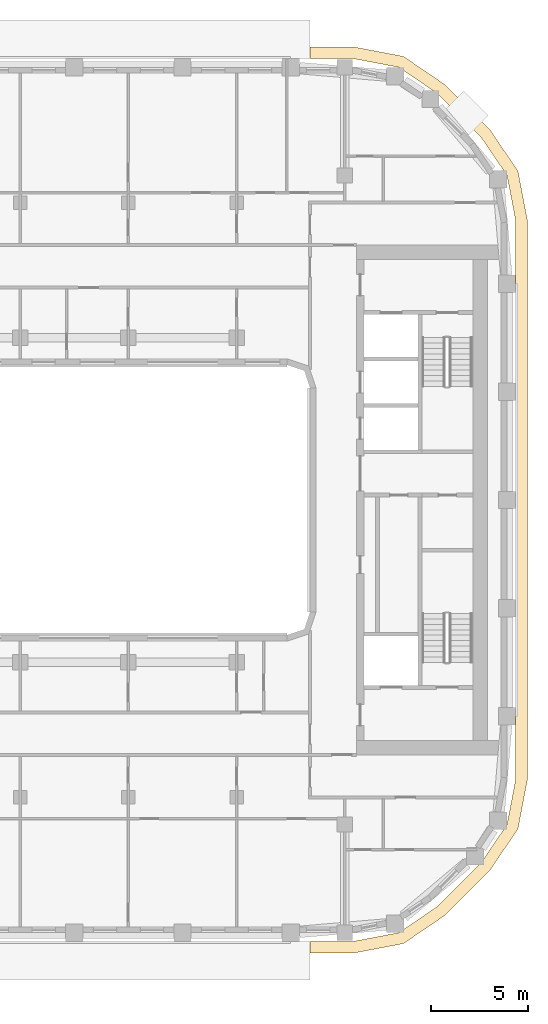
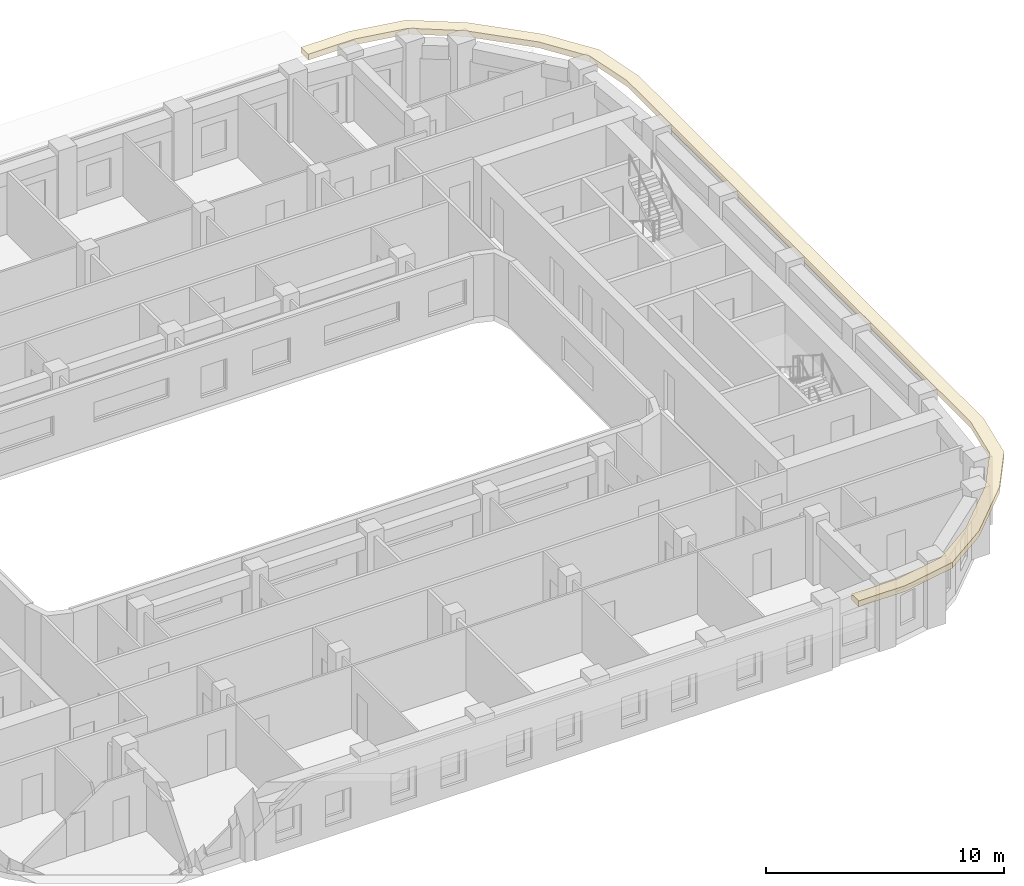
# One storey, part 16 of 20: 1 covering.
"""IFC4 building model written with IfcOpenShell, lengths in metres."""

import ifcopenshell
import ifcopenshell.guid

model = None  # the IFC model being written
_history = None  # IfcOwnerHistory: only IFC2X3 demands one
_inside = {}  # id of a spatial element -> (the spatial element, [elements in it])
_under = {}  # id of a project, library or spatial element -> (it, [spatial elements below it])
_declared = {}  # id of a project -> (the project, [libraries it declares])
_typed = {}  # id of a type object -> (the type object, [elements of that type])
_made_of = {}  # id of a material, layer set ... -> (it, [elements and type objects made of it])


def new_model(schema):
    """Start an empty IFC model of exactly this schema.

    Asked for "IFC4X3", IfcOpenShell would pick the latest addendum, in which some entities
    have other attributes; the version numbers below select the first issue.
    IFC2X3 requires an IfcOwnerHistory on every rooted entity: one is made here for all.
    """
    global model, _history
    if schema == "IFC4X3":
        model = ifcopenshell.file(schema_version=(4, 3, 0, 0))
    else:
        model = ifcopenshell.file(schema=schema)
    _inside.clear()
    _under.clear()
    _declared.clear()
    _typed.clear()
    _made_of.clear()
    _history = None
    if model.schema == "IFC2X3":
        org = make("IfcOrganization", Name="unknown")
        user = make(
            "IfcPersonAndOrganization",
            ThePerson=make("IfcPerson", FamilyName="unknown"),
            TheOrganization=org,
        )
        app = make(
            "IfcApplication",
            ApplicationDeveloper=org,
            Version="unknown",
            ApplicationFullName="unknown",
            ApplicationIdentifier="unknown",
        )
        _history = make(
            "IfcOwnerHistory",
            OwningUser=user,
            OwningApplication=app,
            ChangeAction="ADDED",
            CreationDate=0,
        )
    return model


def make(cls, **values):
    """One entity of the class cls with the attributes given. An attribute that is None is left unset."""
    return model.create_entity(
        cls, **{name: value for name, value in values.items() if value is not None}
    )


def rooted(cls, **values):
    """An entity with a GlobalId (a new one), such as an element, a storey or a relation."""
    return make(cls, GlobalId=ifcopenshell.guid.new(), OwnerHistory=_history, **values)


def si_unit(unit_type, name, prefix=None):
    """IfcSIUnit, for example si_unit("LENGTHUNIT", "METRE", prefix="MILLI")."""
    return make("IfcSIUnit", UnitType=unit_type, Prefix=prefix, Name=name)


def assignment(units):
    """IfcUnitAssignment: the units of a project."""
    return None if units is None else make("IfcUnitAssignment", Units=units)


def point(xyz):
    """IfcCartesianPoint."""
    return None if xyz is None else make("IfcCartesianPoint", Coordinates=xyz)


def direction(xyz):
    """IfcDirection."""
    return None if xyz is None else make("IfcDirection", DirectionRatios=xyz)


def frame(location, z_axis=None, x_axis=None):
    """IfcAxis2Placement3D, a coordinate frame: its origin and axes. An axis left out is left unset."""
    return make(
        "IfcAxis2Placement3D",
        Location=point(location),
        Axis=direction(z_axis),
        RefDirection=direction(x_axis),
    )


def origin():
    """The frame at (0, 0, 0) with its axes left unset."""
    return frame((0.0, 0.0, 0.0))


def place(relative_to, where):
    """IfcLocalPlacement: puts the frame where relative to a parent placement (None: the world)."""
    return make(
        "IfcLocalPlacement", PlacementRelTo=relative_to, RelativePlacement=where
    )


def context(
    kind, dimensions, precision=None, world=None, true_north=None, identifier=None
):
    """IfcGeometricRepresentationContext, for example the 3D "Model" context."""
    return make(
        "IfcGeometricRepresentationContext",
        ContextIdentifier=identifier,
        ContextType=kind,
        CoordinateSpaceDimension=dimensions,
        Precision=precision,
        WorldCoordinateSystem=world,
        TrueNorth=true_north,
    )


def subcontext(parent, identifier, kind, view, scale=None):
    """IfcGeometricRepresentationSubContext, for example "Body" below "Model"."""
    return make(
        "IfcGeometricRepresentationSubContext",
        ContextIdentifier=identifier,
        ContextType=kind,
        ParentContext=parent,
        TargetScale=scale,
        TargetView=view,
    )


def project(units=None, contexts=None):
    """IfcProject with its units and contexts."""
    return rooted(
        "IfcProject",
        Name="project",
        RepresentationContexts=contexts,
        UnitsInContext=assignment(units),
    )


def spatial(cls, under=None, at=None, **own):
    """A site, building, storey or space (cls), placed at a placement, below another one or the project."""
    s = rooted(cls, ObjectPlacement=at, **own)
    if under is not None:
        _under.setdefault(under.id(), (under, []))[1].append(s)
    return s


def polyline(points):
    """IfcPolyline through the points."""
    return make("IfcPolyline", Points=[point(p) for p in points])


def outline(outer, holes=None, kind="AREA"):
    """IfcArbitraryClosedProfileDef: a profile drawn as a closed curve; with holes, ...WithVoids."""
    if holes is None:
        return make("IfcArbitraryClosedProfileDef", ProfileType=kind, OuterCurve=outer)
    return make(
        "IfcArbitraryProfileDefWithVoids",
        ProfileType=kind,
        OuterCurve=outer,
        InnerCurves=holes,
    )


def extrude(swept, where, along, depth):
    """IfcExtrudedAreaSolid: the profile swept, set in the frame where, extruded along a direction by depth."""
    return make(
        "IfcExtrudedAreaSolid",
        SweptArea=swept,
        Position=where,
        ExtrudedDirection=direction(along),
        Depth=depth,
    )


def shape(context_of_items, identifier, shape_type, items):
    """IfcShapeRepresentation: the items that make up one representation, for example the "Body"."""
    return make(
        "IfcShapeRepresentation",
        ContextOfItems=context_of_items,
        RepresentationIdentifier=identifier,
        RepresentationType=shape_type,
        Items=items,
    )


def material(Name=None, Category=None):
    """IfcMaterial."""
    return make("IfcMaterial", Name=Name, Category=Category)


def layer(
    of_material, thickness, ventilated=None, Name=None, Category=None, Priority=None
):
    """IfcMaterialLayer: one layer of a wall or slab, of a material (None: an air gap)."""
    return make(
        "IfcMaterialLayer",
        Material=of_material,
        LayerThickness=thickness,
        IsVentilated=ventilated,
        Name=Name,
        Category=Category,
        Priority=Priority,
    )


def layer_set(layers, Name=None):
    """IfcMaterialLayerSet."""
    return make("IfcMaterialLayerSet", MaterialLayers=layers, LayerSetName=Name)


def made_of(thing, what):
    """Note that an element or type object is made of a material, layer set ...; save() writes the relation."""
    if what is not None:
        _made_of.setdefault(what.id(), (what, []))[1].append(thing)
    return thing


def type_object(cls, material=None, **own):
    """A type object (cls), such as IfcWallType, which elements share."""
    return made_of(rooted(cls, **own), material)


def element(
    cls,
    number,
    at=None,
    inside=None,
    cuts=None,
    type_object=None,
    material=None,
    context=None,
    identifier="Body",
    shape_type=None,
    held_by="IfcProductDefinitionShape",
    body=None,
    shapes=None,
    **own,
):
    """One element of the class cls, such as IfcWall. Its Tag is "e" and its number.

    at: its placement. inside: the storey or other place that contains it. cuts: it is an
    opening in that element (IfcRelVoidsElement). A single representation is given by context,
    identifier, shape_type and body (its items); several are given by shapes. held_by: the class
    of the entity that holds the representations. save() writes the other relations.
    """
    e = rooted(cls, Tag="e%d" % number, ObjectPlacement=at, **own)
    if body is not None:
        shapes = [shape(context, identifier, shape_type, body)]
    if shapes is not None:
        e.Representation = make(held_by, Representations=shapes)
    if inside is not None:
        _inside.setdefault(inside.id(), (inside, []))[1].append(e)
    if cuts is not None:
        rooted(
            "IfcRelVoidsElement", RelatingBuildingElement=cuts, RelatedOpeningElement=e
        )
    if type_object is not None:
        _typed.setdefault(type_object.id(), (type_object, []))[1].append(e)
    return made_of(e, material)


def aggregate(whole, parts):
    """IfcRelAggregates: a whole, such as a stair, and the parts it consists of."""
    return rooted("IfcRelAggregates", RelatingObject=whole, RelatedObjects=parts)


def save(model, path):
    """Write the relations noted so far, then the file.

    IfcRelAggregates (storeys below a building ...), IfcRelContainedInSpatialStructure (elements
    in a storey), IfcRelDefinesByType, IfcRelAssociatesMaterial and IfcRelDeclares: one each for
    every whole, place, type object, material and project.
    """
    for whole, parts in _under.values():
        aggregate(whole, parts)
    for where, things in _inside.values():
        rooted(
            "IfcRelContainedInSpatialStructure",
            RelatedElements=things,
            RelatingStructure=where,
        )
    for kind, things in _typed.values():
        rooted("IfcRelDefinesByType", RelatedObjects=things, RelatingType=kind)
    for what, things in _made_of.values():
        rooted("IfcRelAssociatesMaterial", RelatedObjects=things, RelatingMaterial=what)
    for by, libraries in _declared.values():
        rooted("IfcRelDeclares", RelatingContext=by, RelatedDefinitions=libraries)
    model.write(path)


model = new_model("IFC4")

# Units and contexts
model_context = context("Model", 3, precision=1e-05, world=origin(), true_north=direction((0.0, 1.0)))
body_context = subcontext(model_context, "Body", "Model", "MODEL_VIEW")
ifc_project = project(units=[si_unit("LENGTHUNIT", "METRE"), si_unit("AREAUNIT", "SQUARE_METRE"), si_unit("VOLUMEUNIT", "CUBIC_METRE"), si_unit("PLANEANGLEUNIT", "RADIAN"), si_unit("MASSUNIT", "GRAM", prefix="KILO")], contexts=[model_context])

# Site, building, storey
site_placement = place(None, origin())
site = spatial("IfcSite", under=ifc_project, at=site_placement, CompositionType="ELEMENT")
building_placement = place(site_placement, origin())
building = spatial("IfcBuilding", under=site, at=building_placement, Name="Kiln Ring Residences", CompositionType="ELEMENT")
storey_placement = place(building_placement, frame((0.0, 0.0, 206.39990234375)))
storey = spatial("IfcBuildingStorey", under=building, at=storey_placement, Name="L53", CompositionType="ELEMENT", Elevation=206.39990234375)

# Covering
ifc_material = material(Name="Black powder-coated steel", Category="steel")
ifc_layer = layer(ifc_material, 0.300048828125)
ifc_layer_set = layer_set([ifc_layer], Name="SUNSHADE FIN 600")
covering_type = type_object("IfcCoveringType", Name="SUNSHADE FIN 600", PredefinedType="CLADDING", material=ifc_layer_set)
covering_placement = place(storey_placement, frame((0.0, 0.0, 3.2001953125)))
element("IfcCovering", 1, at=covering_placement, inside=storey, type_object=covering_type, Name="SUNSHADE FIN L53", PredefinedType="CLADDING", context=body_context, shape_type="SweptSolid", body=[
    extrude(outline(polyline([(17.29931640625, 23.449951171875), (15.0, 23.449951171875), (15.0, 22.85009765625), (17.242431640625, 22.85009765625), (19.60009765625, 22.400390625), (21.585205078125, 21.05126953125), (23.851318359375, 18.78515625), (25.2001953125, 16.800048828125), (25.64990234375, 14.4423828125), (25.64990234375, -14.4423828125), (25.2001953125, -16.800048828125), (23.851318359375, -18.78515625), (21.585205078125, -21.05126953125), (19.60009765625, -22.400390625), (17.242431640625, -22.85009765625), (15.0, -22.85009765625), (15.0, -23.449951171875), (17.29931640625, -23.449951171875), (19.834716796875, -22.96630859375), (21.96923828125, -21.515625), (24.315673828125, -19.169189453125), (25.766357421875, -17.03466796875), (26.25, -14.499267578125), (26.25, 14.499267578125), (25.766357421875, 17.03466796875), (24.315673828125, 19.169189453125), (21.96923828125, 21.515625), (19.834716796875, 22.96630859375), (17.29931640625, 23.449951171875)])), origin(), (0.0, 0.0, 1.0), 0.2998046875),
])

save(model, "model.ifc")
